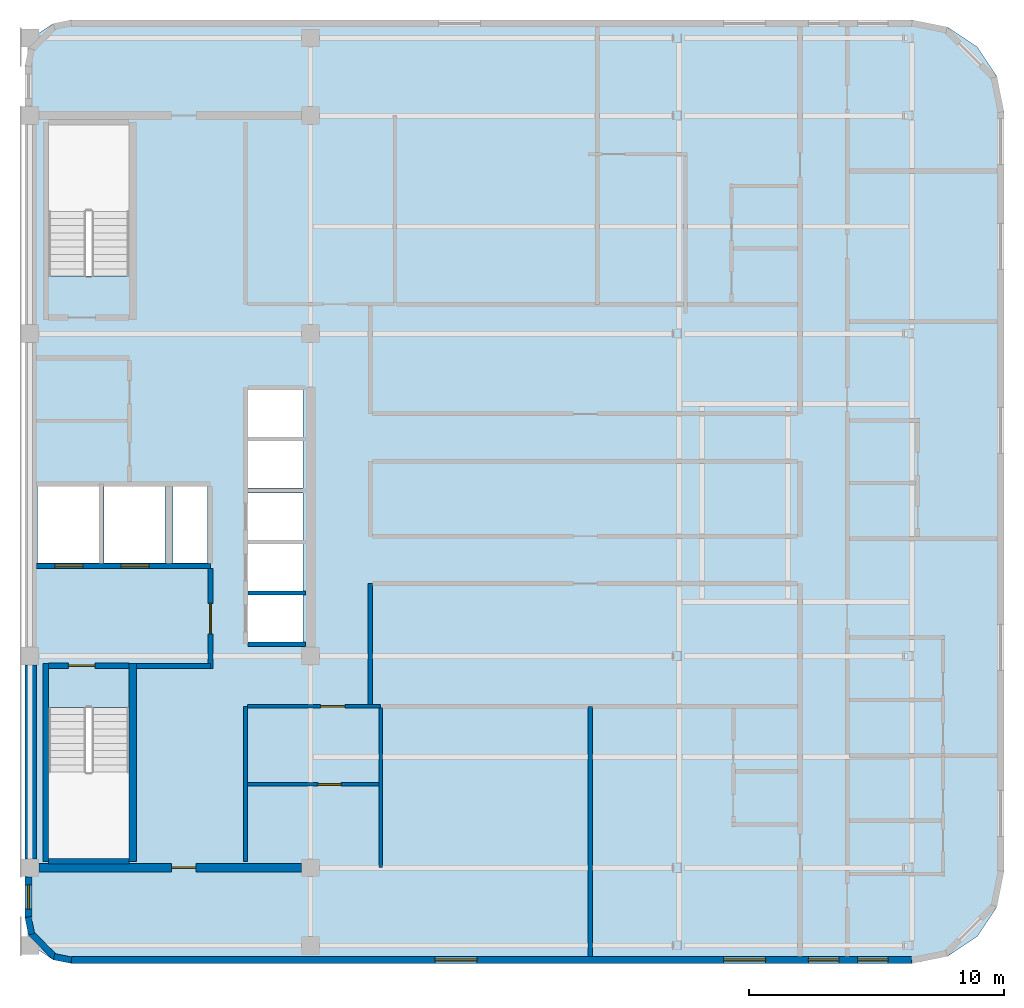
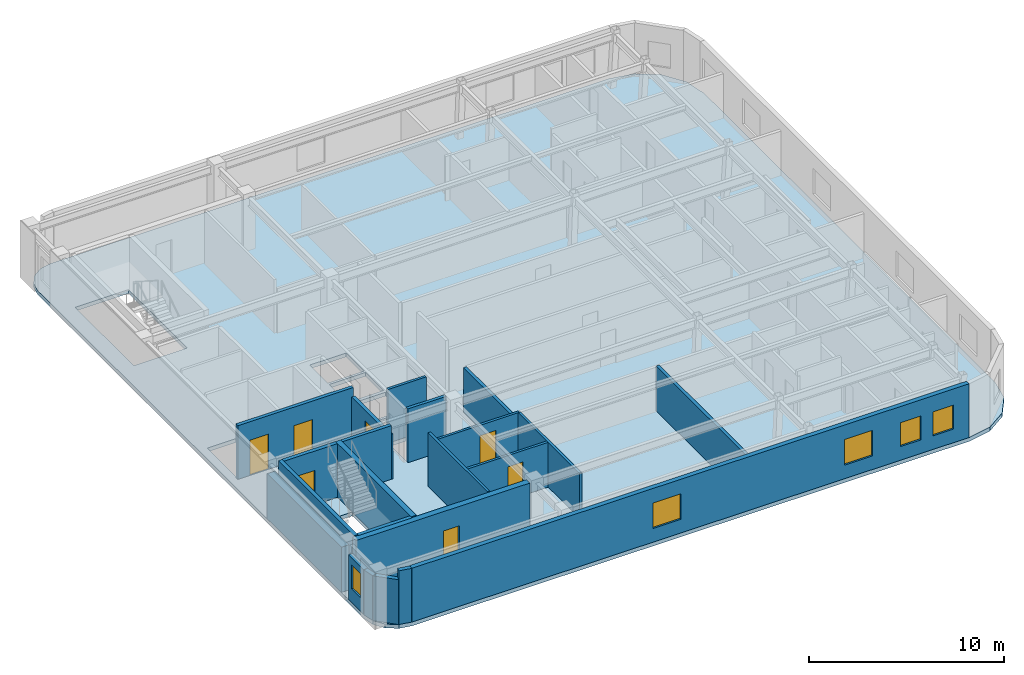
# One storey, part 2 of 6: 22 walls, 7 doors, 5 windows, 1 slab, 12 openings.
"""IFC4 building model written with IfcOpenShell, lengths in metres."""

from ifc_helpers import new_model, si_unit, direction, frame, frame_2d, origin, place, context, subcontext, project, spatial, polyline, rectangle, outline, extrude, material, layer, layer_set, type_object, element, fill, save


model = new_model("IFC4")

# Units and contexts
model_context = context("Model", 3, precision=1e-05, world=origin(), true_north=direction((0.0, 1.0)))
body_context = subcontext(model_context, "Body", "Model", "MODEL_VIEW")
ifc_project = project(units=[si_unit("LENGTHUNIT", "METRE"), si_unit("AREAUNIT", "SQUARE_METRE"), si_unit("VOLUMEUNIT", "CUBIC_METRE"), si_unit("PLANEANGLEUNIT", "RADIAN"), si_unit("MASSUNIT", "GRAM", prefix="KILO")], contexts=[model_context])

# Site, building, storey
site_placement = place(None, origin())
site = spatial("IfcSite", under=ifc_project, at=site_placement, CompositionType="ELEMENT")
building_placement = place(site_placement, origin())
building = spatial("IfcBuilding", under=site, at=building_placement, Name="Ochreholt Gables", CompositionType="ELEMENT")
storey_placement = place(building_placement, frame((0.0, 0.0, 274.800048828125)))
storey = spatial("IfcBuildingStorey", under=building, at=storey_placement, Name="L72", CompositionType="ELEMENT", Elevation=274.800048828125)

# Slab
ifc_material_1 = material(Name="Concrete 40 MPa", Category="concrete")
ifc_layer_1 = layer(ifc_material_1, 0.239990234375, Name="Concrete 40 MPa")
ifc_layer_set_1 = layer_set([ifc_layer_1], Name="Concrete 40 MPa")
slab_type = type_object("IfcSlabType", Name="SLAB-TWR-240", PredefinedType="FLOOR", material=ifc_layer_set_1)
slab_placement = place(storey_placement, frame((0.0, 0.0, -0.239990234375)))
element("IfcSlab", 1, at=slab_placement, inside=storey, type_object=slab_type, Name="L72 Structural Floor Slab", PredefinedType="FLOOR", context=body_context, shape_type="SweptSolid", body=[
    extrude(outline(polyline([(24.0, 7.300048828125), (24.136962890625, 6.611083984375), (24.527099609375, 6.027099609375), (25.111083984375, 5.636962890625), (25.800048828125, 5.5), (58.800048828125, 5.5), (60.177734375, 5.77392578125), (61.345703125, 6.554443359375), (62.1259765625, 7.722412109375), (62.39990234375, 9.10009765625), (62.39990234375, 38.89990234375), (62.1259765625, 40.277587890625), (61.345703125, 41.445556640625), (60.177734375, 42.22607421875), (58.800048828125, 42.5), (25.800048828125, 42.5), (25.111083984375, 42.363037109375), (24.527099609375, 41.972900390625), (24.136962890625, 41.388916015625), (24.0, 40.699951171875), (24.0, 7.300048828125)]), holes=[polyline([(24.919921875, 15.539306640625), (24.919921875, 9.52001953125), (28.080078125, 9.52001953125), (28.080078125, 15.539306640625), (24.919921875, 15.539306640625)]), polyline([(28.080078125, 32.460693359375), (28.080078125, 38.47998046875), (24.919921875, 38.47998046875), (24.919921875, 32.460693359375), (28.080078125, 32.460693359375)]), polyline([(24.5, 21.199951171875), (26.89990234375, 21.199951171875), (26.89990234375, 24.199951171875), (24.5, 24.199951171875), (24.5, 21.199951171875)]), polyline([(27.10009765625, 21.199951171875), (29.5, 21.199951171875), (29.5, 24.199951171875), (27.10009765625, 24.199951171875), (27.10009765625, 21.199951171875)]), polyline([(32.75, 18.10009765625), (34.89990234375, 18.10009765625), (34.89990234375, 19.949951171875), (32.75, 19.949951171875), (32.75, 18.10009765625)]), polyline([(32.75, 20.10009765625), (34.89990234375, 20.10009765625), (34.89990234375, 21.949951171875), (32.75, 21.949951171875), (32.75, 20.10009765625)]), polyline([(32.75, 22.10009765625), (34.89990234375, 22.10009765625), (34.89990234375, 23.949951171875), (32.75, 23.949951171875), (32.75, 22.10009765625)]), polyline([(32.75, 24.14990234375), (34.89990234375, 24.14990234375), (34.89990234375, 26.0), (32.75, 26.0), (32.75, 24.14990234375)]), polyline([(32.75, 26.14990234375), (34.89990234375, 26.14990234375), (34.89990234375, 28.0), (32.75, 28.0), (32.75, 26.14990234375)]), polyline([(29.800048828125, 21.199951171875), (31.14990234375, 21.199951171875), (31.14990234375, 24.199951171875), (29.800048828125, 24.199951171875), (29.800048828125, 21.199951171875)])]), origin(), (0.0, 0.0, 1.0), 0.239990234375),
])

# Wall, opening, door
ifc_material_2 = material(Name="Concrete 50 MPa", Category="concrete")
ifc_layer_2 = layer(ifc_material_2, 0.35009765625, Name="Concrete 50 MPa")
ifc_layer_set_2 = layer_set([ifc_layer_2], Name="Concrete 50 MPa")
wall_type_1 = type_object("IfcWallType", Name="WALL-CSW-350", PredefinedType="SHEAR", material=ifc_layer_set_2)
wall_1_placement = place(storey_placement, frame((24.550048828125, 9.25, 0.0), z_axis=(0.0, 0.0, 1.0), x_axis=(1.0, 0.0, 0.0)))
wall_1 = element("IfcWall", 2, at=wall_1_placement, inside=storey, type_object=wall_type_1, Name="L72 Core South Shear Wall", PredefinedType="SHEAR", context=body_context, shape_type="SweptSolid", body=[
    extrude(rectangle(XDim=10.300048828125, YDim=0.35009765625, at=frame_2d((5.14990234375, 0.0))), origin(), (0.0, 0.0, 1.0), 3.35986328125),
])
opening_1_placement = place(wall_1_placement, frame((5.199951171875, 0.0, 0.0)))
opening_1 = element("IfcOpeningElement", 3, at=opening_1_placement, cuts=wall_1, Name="Opening D-FL2", PredefinedType="OPENING", context=body_context, shape_type="SweptSolid", body=[
    extrude(rectangle(XDim=0.949951171875, YDim=2.14990234375, at=frame_2d((0.47509765625, 1.074951171875))), frame((0.0, 0.18505859375, 0.0), z_axis=(0.0, -1.0, 0.0), x_axis=(1.0, 0.0, 0.0)), (0.0, 0.0, 1.0), 0.3701171875),
])
ifc_material_3 = material(Name="Hollow Metal Steel", Category="steel")
door_type_1 = type_object("IfcDoorType", Name="DR-INT-FLB950", OperationType="NOTDEFINED", PredefinedType="DOOR", material=ifc_material_3)
door_1_placement = place(opening_1_placement, frame((0.949951171875, 0.0, 0.0), z_axis=(0.0, 0.0, 1.0), x_axis=(-1.0, 0.0, 0.0)))
door_1 = element("IfcDoor", 4, at=door_1_placement, inside=storey, type_object=door_type_1, Name="L72 Door D-C3SSL-L72", OperationType="SINGLE_SWING_LEFT", OverallHeight=2.14990234375, OverallWidth=0.949951171875, PredefinedType="DOOR", context=body_context, shape_type="SweptSolid", body=[
    extrude(rectangle(XDim=0.949951171875, YDim=2.14990234375, at=frame_2d((0.47509765625, 1.074951171875))), frame((0.0, 0.02490234375, 0.0), z_axis=(0.0, -1.0, 0.0), x_axis=(1.0, 0.0, 0.0)), (0.0, 0.0, 1.0), 0.050048828125),
])
fill(opening_1, door_1)

# Wall
ifc_layer_3 = layer(ifc_material_2, 0.449951171875, Name="Concrete 50 MPa")
ifc_layer_set_3 = layer_set([ifc_layer_3], Name="Concrete 50 MPa")
wall_type_2 = type_object("IfcWallType", Name="WALL-CSW-EXT", PredefinedType="SHEAR", material=ifc_layer_set_3)
wall_2_placement = place(storey_placement, frame((24.22509765625, 9.60009765625, 0.0), z_axis=(0.0, 0.0, 1.0), x_axis=(0.0, 1.0, 0.0)))
element("IfcWall", 5, at=wall_2_placement, inside=storey, type_object=wall_type_2, Name="L72 Core West Shear Wall WS", PredefinedType="SHEAR", context=body_context, shape_type="SweptSolid", body=[
    extrude(rectangle(XDim=7.599853515625, YDim=0.449951171875, at=frame_2d((3.7998046875, 0.0))), origin(), (0.0, 0.0, 1.0), 2.821044921875),
])

# Wall, openings, windows
ifc_material_4 = material(Name="Precast concrete 40 MPa", Category="concrete")
ifc_layer_4 = layer(ifc_material_4, 0.27001953125, Name="Precast concrete 40 MPa")
ifc_layer_set_4 = layer_set([ifc_layer_4], Name="Precast concrete 40 MPa")
wall_type_3 = type_object("IfcWallType", Name="WALL-EXT-270", PredefinedType="SOLIDWALL", material=ifc_layer_set_4)
wall_3_placement = place(storey_placement, frame((25.820068359375, 5.635009765625, 0.0), z_axis=(0.0, 0.0, 1.0), x_axis=(1.0, 0.0, 0.0)))
wall_3 = element("IfcWall", 6, at=wall_3_placement, inside=storey, type_object=wall_type_3, Name="L72 South Exterior Wall", PredefinedType="SOLIDWALL", context=body_context, shape_type="SweptSolid", body=[
    extrude(rectangle(XDim=32.9599609375, YDim=0.27001953125, at=frame_2d((16.47998046875, 0.0))), origin(), (0.0, 0.0, 1.0), 3.35986328125),
])
opening_2_placement = place(wall_3_placement, frame((14.262451171875, 0.0, 0.85009765625)))
opening_2 = element("IfcOpeningElement", 7, at=opening_2_placement, cuts=wall_3, Name="Opening WN-7", PredefinedType="OPENING", context=body_context, shape_type="SweptSolid", body=[
    extrude(rectangle(XDim=1.64990234375, YDim=1.60009765625, at=frame_2d((0.824951171875, 0.800048828125))), frame((0.0, 0.14501953125, 0.0), z_axis=(0.0, -1.0, 0.0), x_axis=(1.0, 0.0, 0.0)), (0.0, 0.0, 1.0), 0.2900390625),
])
opening_3_placement = place(wall_3_placement, frame((25.58349609375, 0.0, 0.85009765625)))
opening_3 = element("IfcOpeningElement", 8, at=opening_3_placement, cuts=wall_3, Name="Opening WN-7", PredefinedType="OPENING", context=body_context, shape_type="SweptSolid", body=[
    extrude(rectangle(XDim=1.64990234375, YDim=1.60009765625, at=frame_2d((0.824951171875, 0.800048828125))), frame((0.0, 0.14501953125, 0.0), z_axis=(0.0, -1.0, 0.0), x_axis=(1.0, 0.0, 0.0)), (0.0, 0.0, 1.0), 0.2900390625),
])
opening_4_placement = place(wall_3_placement, frame((28.905029296875, 0.0, 0.85009765625)))
opening_4 = element("IfcOpeningElement", 9, at=opening_4_placement, cuts=wall_3, Name="Opening WN-3", PredefinedType="OPENING", context=body_context, shape_type="SweptSolid", body=[
    extrude(rectangle(XDim=1.199951171875, YDim=1.5, at=frame_2d((0.60009765625, 0.75))), frame((0.0, 0.14501953125, 0.0), z_axis=(0.0, -1.0, 0.0), x_axis=(1.0, 0.0, 0.0)), (0.0, 0.0, 1.0), 0.2900390625),
])
opening_5_placement = place(wall_3_placement, frame((30.834716796875, 0.0, 0.85009765625)))
opening_5 = element("IfcOpeningElement", 10, at=opening_5_placement, cuts=wall_3, Name="Opening WN-3", PredefinedType="OPENING", context=body_context, shape_type="SweptSolid", body=[
    extrude(rectangle(XDim=1.199951171875, YDim=1.5, at=frame_2d((0.60009765625, 0.75))), frame((0.0, 0.14501953125, 0.0), z_axis=(0.0, -1.0, 0.0), x_axis=(1.0, 0.0, 0.0)), (0.0, 0.0, 1.0), 0.2900390625),
])
ifc_material_5 = material(Name="Triple-Glazed Thermally Broken Aluminium Window", Category="aluminium")
window_type_1 = type_object("IfcWindowType", Name="WIN-RES-1200", PartitioningType="SINGLE_PANEL", PredefinedType="WINDOW", material=ifc_material_5)
window_1_placement = place(opening_4_placement, origin())
window_1 = element("IfcWindow", 11, at=window_1_placement, inside=storey, type_object=window_type_1, Name="L72 Window W-EXT-S-L72-3", OverallHeight=1.5, OverallWidth=1.199951171875, PartitioningType="SINGLE_PANEL", PredefinedType="WINDOW", context=body_context, shape_type="SweptSolid", body=[
    extrude(rectangle(XDim=1.199951171875, YDim=1.5, at=frame_2d((0.60009765625, 0.75))), frame((0.0, 0.030029296875, 0.0), z_axis=(0.0, -1.0, 0.0), x_axis=(1.0, 0.0, 0.0)), (0.0, 0.0, 1.0), 0.06005859375),
])
fill(opening_4, window_1)
window_2_placement = place(opening_5_placement, origin())
window_2 = element("IfcWindow", 12, at=window_2_placement, inside=storey, type_object=window_type_1, Name="L72 Window W-EXT-S-L72-4", OverallHeight=1.5, OverallWidth=1.199951171875, PartitioningType="SINGLE_PANEL", PredefinedType="WINDOW", context=body_context, shape_type="SweptSolid", body=[
    extrude(rectangle(XDim=1.199951171875, YDim=1.5, at=frame_2d((0.60009765625, 0.75))), frame((0.0, 0.030029296875, 0.0), z_axis=(0.0, -1.0, 0.0), x_axis=(1.0, 0.0, 0.0)), (0.0, 0.0, 1.0), 0.06005859375),
])
fill(opening_5, window_2)
window_type_2 = type_object("IfcWindowType", Name="WIN-RES-1650", PartitioningType="SINGLE_PANEL", PredefinedType="WINDOW", material=ifc_material_5)
window_3_placement = place(opening_2_placement, origin())
window_3 = element("IfcWindow", 13, at=window_3_placement, inside=storey, type_object=window_type_2, Name="L72 Window W-EXT-S-L72-1", OverallHeight=1.60009765625, OverallWidth=1.64990234375, PartitioningType="SINGLE_PANEL", PredefinedType="WINDOW", context=body_context, shape_type="SweptSolid", body=[
    extrude(rectangle(XDim=1.64990234375, YDim=1.60009765625, at=frame_2d((0.824951171875, 0.800048828125))), frame((0.0, 0.030029296875, 0.0), z_axis=(0.0, -1.0, 0.0), x_axis=(1.0, 0.0, 0.0)), (0.0, 0.0, 1.0), 0.06005859375),
])
fill(opening_2, window_3)
window_4_placement = place(opening_3_placement, origin())
window_4 = element("IfcWindow", 14, at=window_4_placement, inside=storey, type_object=window_type_2, Name="L72 Window W-EXT-S-L72-2", OverallHeight=1.60009765625, OverallWidth=1.64990234375, PartitioningType="SINGLE_PANEL", PredefinedType="WINDOW", context=body_context, shape_type="SweptSolid", body=[
    extrude(rectangle(XDim=1.64990234375, YDim=1.60009765625, at=frame_2d((0.824951171875, 0.800048828125))), frame((0.0, 0.030029296875, 0.0), z_axis=(0.0, -1.0, 0.0), x_axis=(1.0, 0.0, 0.0)), (0.0, 0.0, 1.0), 0.06005859375),
])
fill(opening_3, window_4)

# Wall, opening, window
wall_4_placement = place(storey_placement, frame((24.135009765625, 7.320068359375, 0.0), z_axis=(0.0, 0.0, 1.0), x_axis=(0.0, 1.0, 0.0)))
wall_4 = element("IfcWall", 15, at=wall_4_placement, inside=storey, type_object=wall_type_3, Name="L72 West Facade South Bay Wall", PredefinedType="SOLIDWALL", context=body_context, shape_type="SweptSolid", body=[
    extrude(rectangle(XDim=1.559814453125, YDim=0.27001953125, at=frame_2d((0.77978515625, 0.0))), origin(), (0.0, 0.0, 1.0), 2.802978515625),
])
opening_6_placement = place(wall_4_placement, frame((0.304931640625, 0.0, 0.85009765625)))
opening_6 = element("IfcOpeningElement", 16, at=opening_6_placement, cuts=wall_4, Name="Opening WN-10", PredefinedType="OPENING", context=body_context, shape_type="SweptSolid", body=[
    extrude(rectangle(XDim=0.949951171875, YDim=1.5, at=frame_2d((0.47509765625, 0.75))), frame((0.0, 0.14501953125, 0.0), z_axis=(0.0, -1.0, 0.0), x_axis=(1.0, 0.0, 0.0)), (0.0, 0.0, 1.0), 0.2900390625),
])
window_type_3 = type_object("IfcWindowType", Name="WIN-RES-950", PartitioningType="SINGLE_PANEL", PredefinedType="WINDOW", material=ifc_material_5)
window_5_placement = place(opening_6_placement, origin())
window_5 = element("IfcWindow", 17, at=window_5_placement, inside=storey, type_object=window_type_3, Name="L72 South Sky Lounge West Window", OverallHeight=1.5, OverallWidth=0.949951171875, PartitioningType="SINGLE_PANEL", PredefinedType="WINDOW", context=body_context, shape_type="SweptSolid", body=[
    extrude(rectangle(XDim=0.949951171875, YDim=1.5, at=frame_2d((0.47509765625, 0.75))), frame((0.0, 0.030029296875, 0.0), z_axis=(0.0, -1.0, 0.0), x_axis=(1.0, 0.0, 0.0)), (0.0, 0.0, 1.0), 0.06005859375),
])
fill(opening_6, window_5)

# Walls
ifc_layer_5 = layer(ifc_material_4, 0.25, Name="Precast concrete 40 MPa")
ifc_layer_set_5 = layer_set([ifc_layer_5], Name="Precast concrete 40 MPa")
wall_type_4 = type_object("IfcWallType", Name="WALL-EXT-CNR", PredefinedType="SOLIDWALL", material=ifc_layer_set_5)
wall_5_placement = place(storey_placement, frame((24.124267578125, 7.31640625, 0.0), z_axis=(0.0, 0.0, 1.0), x_axis=(0.194952956674, -0.980812594069, 0.0)))
element("IfcWall", 18, at=wall_5_placement, inside=storey, type_object=wall_type_4, Name="L72 Rounded Corner Wall SW-1", PredefinedType="SOLIDWALL", context=body_context, shape_type="SweptSolid", body=[
    extrude(rectangle(XDim=0.686279296875, YDim=0.25, at=frame_2d((0.34326171875, 0.0))), origin(), (0.0, 0.0, 1.0), 2.802978515625),
])
wall_6_placement = place(storey_placement, frame((24.23095703125, 6.69384765625, 0.0), z_axis=(0.0, 0.0, 1.0), x_axis=(0.707106781187, -0.707106781187, 0.0)))
element("IfcWall", 19, at=wall_6_placement, inside=storey, type_object=wall_type_4, Name="L72 Rounded Corner Wall SW-2", PredefinedType="SOLIDWALL", context=body_context, shape_type="SweptSolid", body=[
    extrude(rectangle(XDim=1.36181640625, YDim=0.25, at=frame_2d((0.680908203125, 0.0))), origin(), (0.0, 0.0, 1.0), 2.802978515625),
])
wall_7_placement = place(storey_placement, frame((25.143310546875, 5.758056640625, 0.0), z_axis=(0.0, 0.0, 1.0), x_axis=(0.980812594069, -0.194952956674, 0.0)))
element("IfcWall", 20, at=wall_7_placement, inside=storey, type_object=wall_type_4, Name="L72 Rounded Corner Wall SW-3", PredefinedType="SOLIDWALL", context=body_context, shape_type="SweptSolid", body=[
    extrude(rectangle(XDim=0.686279296875, YDim=0.25, at=frame_2d((0.34326171875, 0.0))), origin(), (0.0, 0.0, 1.0), 3.35986328125),
])

# Wall, openings, doors
ifc_layer_6 = layer(ifc_material_1, 0.199951171875, Name="Concrete 40 MPa")
ifc_layer_set_6 = layer_set([ifc_layer_6], Name="Concrete 40 MPa")
wall_type_5 = type_object("IfcWallType", Name="WALL-INT-CF200", PredefinedType="STANDARD", material=ifc_layer_set_6)
wall_8_placement = place(storey_placement, frame((24.449951171875, 21.090087890625, 0.0), z_axis=(0.0, 0.0, 1.0), x_axis=(1.0, 0.0, 0.0)))
wall_8 = element("IfcWall", 21, at=wall_8_placement, inside=storey, type_object=wall_type_5, Name="L72 Interior Wall WI-FFN-L72", PredefinedType="STANDARD", context=body_context, shape_type="SweptSolid", body=[
    extrude(rectangle(XDim=6.830078125, YDim=0.199951171875, at=frame_2d((3.4150390625, 0.0))), origin(), (0.0, 0.0, 1.0), 3.35986328125),
])
opening_7_placement = place(wall_8_placement, frame((0.719970703125, 0.0, 0.0)))
opening_7 = element("IfcOpeningElement", 22, at=opening_7_placement, cuts=wall_8, Name="Opening LD-FF", PredefinedType="OPENING", context=body_context, shape_type="SweptSolid", body=[
    extrude(rectangle(XDim=1.10009765625, YDim=2.199951171875, at=frame_2d((0.550048828125, 1.10009765625))), frame((0.0, 0.10986328125, 0.0), z_axis=(0.0, -1.0, 0.0), x_axis=(1.0, 0.0, 0.0)), (0.0, 0.0, 1.0), 0.219970703125),
])
opening_8_placement = place(wall_8_placement, frame((3.320068359375, 0.0, 0.0)))
opening_8 = element("IfcOpeningElement", 23, at=opening_8_placement, cuts=wall_8, Name="Opening LD-FF", PredefinedType="OPENING", context=body_context, shape_type="SweptSolid", body=[
    extrude(rectangle(XDim=1.10009765625, YDim=2.199951171875, at=frame_2d((0.550048828125, 1.10009765625))), frame((0.0, 0.10986328125, 0.0), z_axis=(0.0, -1.0, 0.0), x_axis=(1.0, 0.0, 0.0)), (0.0, 0.0, 1.0), 0.219970703125),
])
ifc_material_6 = material(Name="Stainless Steel", Category="steel")
door_type_2 = type_object("IfcDoorType", Name="DR-LFT-FF1100", OperationType="NOTDEFINED", PredefinedType="DOOR", material=ifc_material_6)
door_2_placement = place(opening_7_placement, origin())
door_2 = element("IfcDoor", 24, at=door_2_placement, inside=storey, type_object=door_type_2, Name="L72 Door LD-FF1-L72", OperationType="SLIDING_TO_LEFT", OverallHeight=2.199951171875, OverallWidth=1.10009765625, PredefinedType="DOOR", context=body_context, shape_type="SweptSolid", body=[
    extrude(rectangle(XDim=1.10009765625, YDim=2.199951171875, at=frame_2d((0.550048828125, 1.10009765625))), frame((0.0, 0.02490234375, 0.0), z_axis=(0.0, -1.0, 0.0), x_axis=(1.0, 0.0, 0.0)), (0.0, 0.0, 1.0), 0.050048828125),
])
fill(opening_7, door_2)
door_3_placement = place(opening_8_placement, origin())
door_3 = element("IfcDoor", 25, at=door_3_placement, inside=storey, type_object=door_type_2, Name="L72 Door LD-FF2-L72", OperationType="SLIDING_TO_LEFT", OverallHeight=2.199951171875, OverallWidth=1.10009765625, PredefinedType="DOOR", context=body_context, shape_type="SweptSolid", body=[
    extrude(rectangle(XDim=1.10009765625, YDim=2.199951171875, at=frame_2d((0.550048828125, 1.10009765625))), frame((0.0, 0.02490234375, 0.0), z_axis=(0.0, -1.0, 0.0), x_axis=(1.0, 0.0, 0.0)), (0.0, 0.0, 1.0), 0.050048828125),
])
fill(opening_8, door_3)

# Wall
wall_9_placement = place(storey_placement, frame((28.3798828125, 17.169921875, 0.0), z_axis=(0.0, 0.0, 1.0), x_axis=(1.0, 0.0, 0.0)))
element("IfcWall", 26, at=wall_9_placement, inside=storey, type_object=wall_type_5, Name="L72 Interior Wall WI-FFS-L72", PredefinedType="STANDARD", context=body_context, shape_type="SweptSolid", body=[
    extrude(rectangle(XDim=2.900146484375, YDim=0.199951171875, at=frame_2d((1.4501953125, 0.0))), origin(), (0.0, 0.0, 1.0), 3.35986328125),
])

# Wall, opening, door
wall_10_placement = place(storey_placement, frame((31.280029296875, 17.070068359375, 0.0), z_axis=(0.0, 0.0, 1.0), x_axis=(0.0, 1.0, 0.0)))
wall_10 = element("IfcWall", 27, at=wall_10_placement, inside=storey, type_object=wall_type_5, Name="L72 Interior Wall WI-FFE-L72", PredefinedType="STANDARD", context=body_context, shape_type="SweptSolid", body=[
    extrude(rectangle(XDim=3.919921875, YDim=0.199951171875, at=frame_2d((1.9599609375, 0.0))), origin(), (0.0, 0.0, 1.0), 2.802978515625),
])
opening_9_placement = place(wall_10_placement, frame((1.35009765625, 0.0, 0.0)))
opening_9 = element("IfcOpeningElement", 28, at=opening_9_placement, cuts=wall_10, Name="Opening D-FFL", PredefinedType="OPENING", context=body_context, shape_type="SweptSolid", body=[
    extrude(rectangle(XDim=1.199951171875, YDim=2.14990234375, at=frame_2d((0.60009765625, 1.074951171875))), frame((0.0, 0.10986328125, 0.0), z_axis=(0.0, -1.0, 0.0), x_axis=(1.0, 0.0, 0.0)), (0.0, 0.0, 1.0), 0.219970703125),
])
door_type_3 = type_object("IfcDoorType", Name="DR-INT-FFL1200", OperationType="NOTDEFINED", PredefinedType="DOOR", material=ifc_material_3)
door_4_placement = place(opening_9_placement, origin())
door_4 = element("IfcDoor", 29, at=door_4_placement, inside=storey, type_object=door_type_3, Name="L72 Door D-FFL-L72", OperationType="SINGLE_SWING_LEFT", OverallHeight=2.14990234375, OverallWidth=1.199951171875, PredefinedType="DOOR", context=body_context, shape_type="SweptSolid", body=[
    extrude(rectangle(XDim=1.199951171875, YDim=2.14990234375, at=frame_2d((0.60009765625, 1.074951171875))), frame((0.0, 0.02490234375, 0.0), z_axis=(0.0, -1.0, 0.0), x_axis=(1.0, 0.0, 0.0)), (0.0, 0.0, 1.0), 0.050048828125),
])
fill(opening_9, door_4)

# Walls
ifc_material_7 = material(Name="Fire-Rated Gypsum Acoustic Partition", Category="gypsum")
ifc_layer_7 = layer(ifc_material_7, 0.179931640625, Name="Fire-Rated Gypsum Acoustic Partition")
ifc_layer_set_7 = layer_set([ifc_layer_7], Name="Fire-Rated Gypsum Acoustic Partition")
wall_type_6 = type_object("IfcWallType", Name="WALL-INT-CR180", PredefinedType="STANDARD", material=ifc_layer_set_7)
wall_11_placement = place(storey_placement, frame((37.550048828125, 15.652587890625, 0.0), z_axis=(0.0, 0.0, 1.0), x_axis=(0.0, 1.0, 0.0)))
element("IfcWall", 30, at=wall_11_placement, inside=storey, type_object=wall_type_6, Name="L72 Interior Wall WI-C3CE0-L72", PredefinedType="STANDARD", context=body_context, shape_type="SweptSolid", body=[
    extrude(rectangle(XDim=4.747314453125, YDim=0.179931640625, at=frame_2d((2.37353515625, 0.0))), origin(), (0.0, 0.0, 1.0), 2.802978515625),
])
ifc_material_8 = material(Name="Double-Stud Acoustic Demising Wall", Category="gypsum")
ifc_layer_8 = layer(ifc_material_8, 0.18505859375, Name="Double-Stud Acoustic Demising Wall")
ifc_layer_set_8 = layer_set([ifc_layer_8], Name="Double-Stud Acoustic Demising Wall")
wall_type_7 = type_object("IfcWallType", Name="WALL-INT-DM185", PredefinedType="PARTITIONING", material=ifc_layer_set_8)
wall_12_placement = place(storey_placement, frame((46.175048828125, 5.77001953125, 0.0), z_axis=(0.0, 0.0, 1.0), x_axis=(0.0, 1.0, 0.0)))
element("IfcWall", 31, at=wall_12_placement, inside=storey, type_object=wall_type_7, Name="L72 Interior Wall WI-C3SMX-L72", PredefinedType="PARTITIONING", context=body_context, shape_type="SweptSolid", body=[
    extrude(rectangle(XDim=9.81005859375, YDim=0.18505859375, at=frame_2d((4.905029296875, 0.0))), origin(), (0.0, 0.0, 1.0), 2.802978515625),
])
ifc_material_9 = material(Name="Lightweight Stud Partition", Category="gypsum")
ifc_layer_9 = layer(ifc_material_9, 0.14501953125, Name="Lightweight Stud Partition")
ifc_layer_set_9 = layer_set([ifc_layer_9], Name="Lightweight Stud Partition")
wall_type_8 = type_object("IfcWallType", Name="WALL-INT-PT145", PredefinedType="PARTITIONING", material=ifc_layer_set_9)
wall_13_placement = place(storey_placement, frame((32.64990234375, 9.5, 0.0), z_axis=(0.0, 0.0, 1.0), x_axis=(0.0, 1.0, 0.0)))
element("IfcWall", 32, at=wall_13_placement, inside=storey, type_object=wall_type_8, Name="L72 Interior Wall WI-RCL-W-L72", PredefinedType="PARTITIONING", context=body_context, shape_type="SweptSolid", body=[
    extrude(rectangle(XDim=6.080078125, YDim=0.14501953125, at=frame_2d((3.0400390625, 0.0))), origin(), (0.0, 0.0, 1.0), 3.35986328125),
])

# Wall, opening, door
wall_14_placement = place(storey_placement, frame((32.722412109375, 15.580078125, 0.0), z_axis=(0.0, 0.0, 1.0), x_axis=(1.0, 0.0, 0.0)))
wall_14 = element("IfcWall", 33, at=wall_14_placement, inside=storey, type_object=wall_type_8, Name="L72 Interior Wall WI-RCL-N-L72", PredefinedType="PARTITIONING", context=body_context, shape_type="SweptSolid", body=[
    extrude(rectangle(XDim=5.2275390625, YDim=0.14501953125, at=frame_2d((2.61376953125, 0.0))), origin(), (0.0, 0.0, 1.0), 2.802978515625),
])
opening_10_placement = place(wall_14_placement, frame((2.87744140625, 0.0, 0.0)))
opening_10 = element("IfcOpeningElement", 34, at=opening_10_placement, cuts=wall_14, Name="Opening D-GN1", PredefinedType="OPENING", context=body_context, shape_type="SweptSolid", body=[
    extrude(rectangle(XDim=0.949951171875, YDim=2.14990234375, at=frame_2d((0.47509765625, 1.074951171875))), frame((0.0, 0.08251953125, 0.0), z_axis=(0.0, -1.0, 0.0), x_axis=(1.0, 0.0, 0.0)), (0.0, 0.0, 1.0), 0.1650390625),
])
ifc_material_10 = material(Name="Engineered Oak Timber", Category="wood")
door_type_4 = type_object("IfcDoorType", Name="DR-INT-GEN950", OperationType="NOTDEFINED", PredefinedType="DOOR", material=ifc_material_10)
door_5_placement = place(opening_10_placement, origin())
door_5 = element("IfcDoor", 35, at=door_5_placement, inside=storey, type_object=door_type_4, Name="L72 Door D-RCL-L72", OperationType="SINGLE_SWING_LEFT", OverallHeight=2.14990234375, OverallWidth=0.949951171875, PredefinedType="DOOR", context=body_context, shape_type="SweptSolid", body=[
    extrude(rectangle(XDim=0.949951171875, YDim=2.14990234375, at=frame_2d((0.47509765625, 1.074951171875))), frame((0.0, 0.02490234375, 0.0), z_axis=(0.0, -1.0, 0.0), x_axis=(1.0, 0.0, 0.0)), (0.0, 0.0, 1.0), 0.050048828125),
])
fill(opening_10, door_5)

# Wall
wall_15_placement = place(storey_placement, frame((37.949951171875, 9.25, 0.0), z_axis=(0.0, 0.0, 1.0), x_axis=(0.0, 1.0, 0.0)))
element("IfcWall", 36, at=wall_15_placement, inside=storey, type_object=wall_type_8, Name="L72 Interior Wall WI-RCL-E-L72", PredefinedType="PARTITIONING", context=body_context, shape_type="SweptSolid", body=[
    extrude(rectangle(XDim=6.257568359375, YDim=0.14501953125, at=frame_2d((3.12890625, 0.0))), origin(), (0.0, 0.0, 1.0), 2.802978515625),
])

# Wall, opening, door
wall_16_placement = place(storey_placement, frame((32.722412109375, 12.52001953125, 0.0), z_axis=(0.0, 0.0, 1.0), x_axis=(1.0, 0.0, 0.0)))
wall_16 = element("IfcWall", 37, at=wall_16_placement, inside=storey, type_object=wall_type_8, Name="L72 Interior Wall WI-RCL-DV-L72", PredefinedType="PARTITIONING", context=body_context, shape_type="SweptSolid", body=[
    extrude(rectangle(XDim=5.155029296875, YDim=0.14501953125, at=frame_2d((2.57763671875, 0.0))), origin(), (0.0, 0.0, 1.0), 2.802978515625),
])
opening_11_placement = place(wall_16_placement, frame((2.777587890625, 0.0, 0.0)))
opening_11 = element("IfcOpeningElement", 38, at=opening_11_placement, cuts=wall_16, Name="Opening D-SV1", PredefinedType="OPENING", context=body_context, shape_type="SweptSolid", body=[
    extrude(rectangle(XDim=0.89990234375, YDim=2.10009765625, at=frame_2d((0.449951171875, 1.050048828125))), frame((0.0, 0.08251953125, 0.0), z_axis=(0.0, -1.0, 0.0), x_axis=(1.0, 0.0, 0.0)), (0.0, 0.0, 1.0), 0.1650390625),
])
door_type_5 = type_object("IfcDoorType", Name="DR-INT-SRV900", OperationType="NOTDEFINED", PredefinedType="DOOR", material=ifc_material_3)
door_6_placement = place(opening_11_placement, origin())
door_6 = element("IfcDoor", 39, at=door_6_placement, inside=storey, type_object=door_type_5, Name="L72 Door D-RCLI-L72", OperationType="SINGLE_SWING_RIGHT", OverallHeight=2.10009765625, OverallWidth=0.89990234375, PredefinedType="DOOR", context=body_context, shape_type="SweptSolid", body=[
    extrude(rectangle(XDim=0.89990234375, YDim=2.10009765625, at=frame_2d((0.449951171875, 1.050048828125))), frame((0.0, 0.02490234375, 0.0), z_axis=(0.0, -1.0, 0.0), x_axis=(1.0, 0.0, 0.0)), (0.0, 0.0, 1.0), 0.050048828125),
])
fill(opening_11, door_6)

# Walls
ifc_material_11 = material(Name="Gypsum Shaftliner and Steel Stud", Category="steel")
ifc_layer_10 = layer(ifc_material_11, 0.14990234375, Name="Gypsum Shaftliner and Steel Stud")
ifc_layer_set_10 = layer_set([ifc_layer_10], Name="Gypsum Shaftliner and Steel Stud")
wall_type_9 = type_object("IfcWallType", Name="WALL-INT-SH150", PredefinedType="STANDARD", material=ifc_layer_set_10)
wall_17_placement = place(storey_placement, frame((32.739990234375, 20.02001953125, 0.0), z_axis=(0.0, 0.0, 1.0), x_axis=(1.0, 0.0, 0.0)))
element("IfcWall", 40, at=wall_17_placement, inside=storey, type_object=wall_type_9, Name="L72 Interior Wall WI-LFHE-DH1-L72", PredefinedType="STANDARD", context=body_context, shape_type="SweptSolid", body=[
    extrude(rectangle(XDim=2.260009765625, YDim=0.14990234375, at=frame_2d((1.1298828125, 0.0))), origin(), (0.0, 0.0, 1.0), 3.35986328125),
])
ifc_layer_11 = layer(ifc_material_11, 0.179931640625, Name="Gypsum Shaftliner and Steel Stud")
ifc_layer_set_11 = layer_set([ifc_layer_11], Name="Gypsum Shaftliner and Steel Stud")
wall_type_10 = type_object("IfcWallType", Name="WALL-INT-SH180", PredefinedType="STANDARD", material=ifc_layer_set_11)
wall_18_placement = place(storey_placement, frame((32.739990234375, 18.02001953125, 0.0), z_axis=(0.0, 0.0, 1.0), x_axis=(1.0, 0.0, 0.0)))
element("IfcWall", 41, at=wall_18_placement, inside=storey, type_object=wall_type_10, Name="L72 Interior Wall WI-LFHE-S-L72", PredefinedType="STANDARD", context=body_context, shape_type="SweptSolid", body=[
    extrude(rectangle(XDim=2.260009765625, YDim=0.179931640625, at=frame_2d((1.1298828125, 0.0))), origin(), (0.0, 0.0, 1.0), 3.35986328125),
])
ifc_material_12 = material(Name="Concrete 60 MPa", Category="concrete")
ifc_layer_12 = layer(ifc_material_12, 0.300048828125, Name="Concrete 60 MPa")
ifc_layer_set_12 = layer_set([ifc_layer_12], Name="Concrete 60 MPa")
wall_type_11 = type_object("IfcWallType", Name="WALL-SPN-300", PredefinedType="SHEAR", material=ifc_layer_set_12)
wall_19_placement = place(storey_placement, frame((28.22998046875, 9.5, 0.0), z_axis=(0.0, 0.0, 1.0), x_axis=(0.0, 1.0, 0.0)))
element("IfcWall", 42, at=wall_19_placement, inside=storey, type_object=wall_type_11, Name="L72 Core South Spine Shear Wall", PredefinedType="SHEAR", context=body_context, shape_type="SweptSolid", body=[
    extrude(rectangle(XDim=7.760009765625, YDim=0.300048828125, at=frame_2d((3.8798828125, 0.0))), origin(), (0.0, 0.0, 1.0), 3.35986328125),
])
ifc_layer_13 = layer(ifc_material_2, 0.219970703125, Name="Concrete 50 MPa")
ifc_layer_set_13 = layer_set([ifc_layer_13], Name="Concrete 50 MPa")
wall_type_12 = type_object("IfcWallType", Name="WALL-STW-220", PredefinedType="SHEAR", material=ifc_layer_set_13)
wall_20_placement = place(storey_placement, frame((24.81005859375, 9.5, 0.0), z_axis=(0.0, 0.0, 1.0), x_axis=(0.0, 1.0, 0.0)))
element("IfcWall", 43, at=wall_20_placement, inside=storey, type_object=wall_type_12, Name="L72 Exit Stair 1 West Wall", PredefinedType="SHEAR", context=body_context, shape_type="SweptSolid", body=[
    extrude(rectangle(XDim=7.760009765625, YDim=0.219970703125, at=frame_2d((3.8798828125, 0.0))), origin(), (0.0, 0.0, 1.0), 3.35986328125),
])
wall_21_placement = place(storey_placement, frame((24.919921875, 9.510009765625, 0.0), z_axis=(0.0, 0.0, 1.0), x_axis=(1.0, 0.0, 0.0)))
element("IfcWall", 44, at=wall_21_placement, inside=storey, type_object=wall_type_12, Name="L72 Exit Stair 1 South Wall", PredefinedType="SHEAR", context=body_context, shape_type="SweptSolid", body=[
    extrude(rectangle(XDim=3.16015625, YDim=0.219970703125, at=frame_2d((1.580078125, 0.0))), origin(), (0.0, 0.0, 1.0), 3.35986328125),
])

# Wall, opening, door
wall_22_placement = place(storey_placement, frame((24.919921875, 17.169921875, 0.0), z_axis=(0.0, 0.0, 1.0), x_axis=(1.0, 0.0, 0.0)))
wall_22 = element("IfcWall", 45, at=wall_22_placement, inside=storey, type_object=wall_type_12, Name="L72 Exit Stair 1 North Wall", PredefinedType="SHEAR", context=body_context, shape_type="SweptSolid", body=[
    extrude(rectangle(XDim=3.16015625, YDim=0.219970703125, at=frame_2d((1.580078125, 0.0))), origin(), (0.0, 0.0, 1.0), 3.35986328125),
])
opening_12_placement = place(wall_22_placement, frame((0.780029296875, 0.0, 0.0)))
opening_12 = element("IfcOpeningElement", 46, at=opening_12_placement, cuts=wall_22, Name="Opening D-STC", PredefinedType="OPENING", context=body_context, shape_type="SweptSolid", body=[
    extrude(rectangle(XDim=1.050048828125, YDim=2.14990234375, at=frame_2d((0.52490234375, 1.074951171875))), frame((0.0, 0.119873046875, 0.0), z_axis=(0.0, -1.0, 0.0), x_axis=(1.0, 0.0, 0.0)), (0.0, 0.0, 1.0), 0.239990234375),
])
door_type_6 = type_object("IfcDoorType", Name="DR-INT-ST1050", OperationType="NOTDEFINED", PredefinedType="DOOR", material=ifc_material_3)
door_7_placement = place(opening_12_placement, frame((1.050048828125, 0.0, 0.0), z_axis=(0.0, 0.0, 1.0), x_axis=(-1.0, 0.0, 0.0)))
door_7 = element("IfcDoor", 47, at=door_7_placement, inside=storey, type_object=door_type_6, Name="L72 Door D-ST1-L72", OperationType="SINGLE_SWING_LEFT", OverallHeight=2.14990234375, OverallWidth=1.050048828125, PredefinedType="DOOR", context=body_context, shape_type="SweptSolid", body=[
    extrude(rectangle(XDim=1.050048828125, YDim=2.14990234375, at=frame_2d((0.52490234375, 1.074951171875))), frame((0.0, 0.02490234375, 0.0), z_axis=(0.0, -1.0, 0.0), x_axis=(1.0, 0.0, 0.0)), (0.0, 0.0, 1.0), 0.050048828125),
])
fill(opening_12, door_7)

save(model, "model.ifc")
